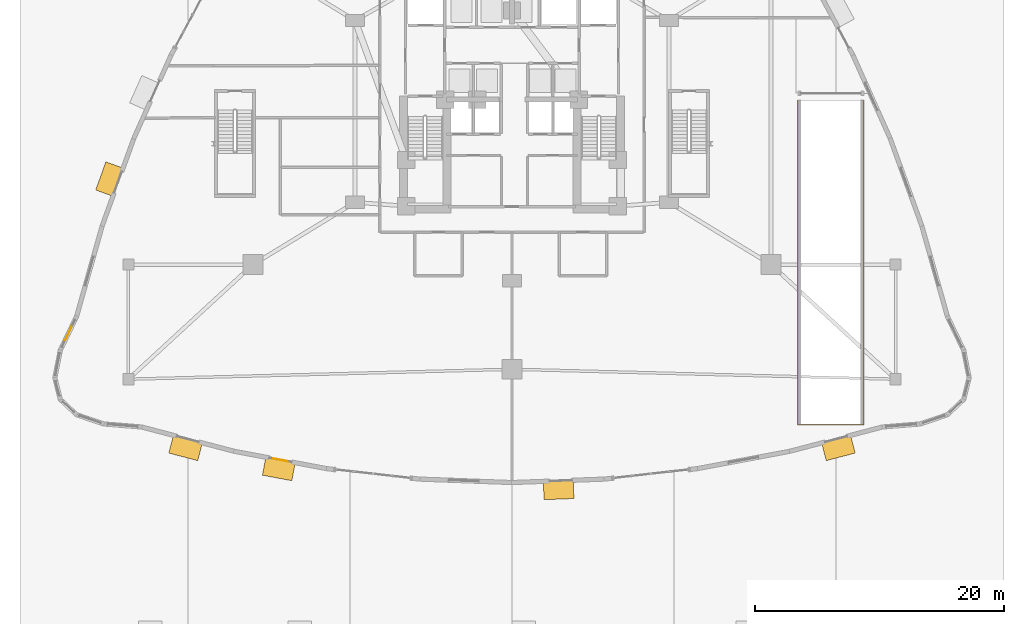
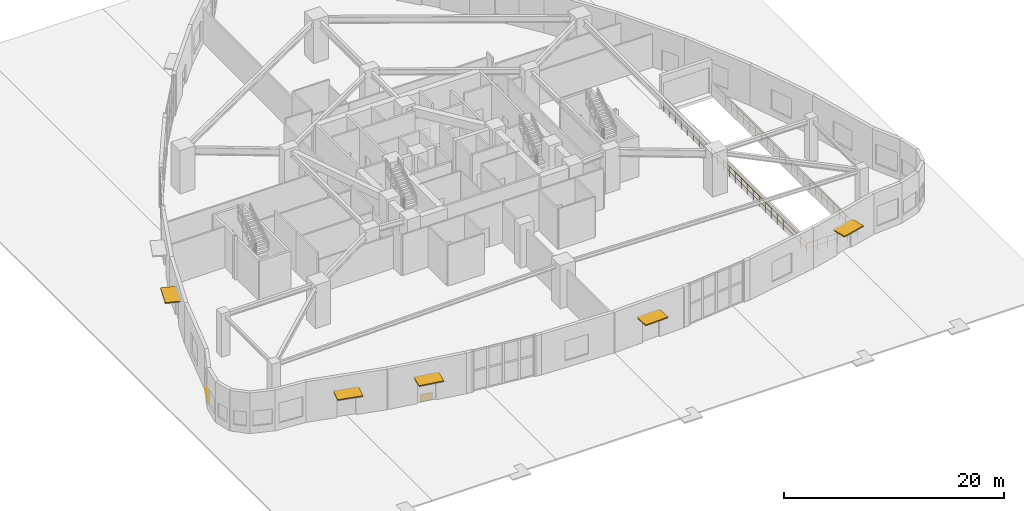
# One storey, part 28 of 32: 5 shading devices, 2 coverings, 1 railing.
"""IFC4 building model written with IfcOpenShell, lengths in metres."""

from ifc_helpers import new_model, si_unit, direction, frame, origin, origin_2d, place, context, subcontext, project, spatial, rectangle, circle, extrude, material, layer, layer_set, type_object, element, save


model = new_model("IFC4")

# Units and contexts
model_context = context("Model", 3, precision=1e-05, world=origin(), true_north=direction((0.0, 1.0)))
body_context = subcontext(model_context, "Body", "Model", "MODEL_VIEW")
ifc_project = project(units=[si_unit("LENGTHUNIT", "METRE"), si_unit("AREAUNIT", "SQUARE_METRE"), si_unit("VOLUMEUNIT", "CUBIC_METRE"), si_unit("PLANEANGLEUNIT", "RADIAN"), si_unit("MASSUNIT", "GRAM", prefix="KILO")], contexts=[model_context])

# Site, building, storey
site_placement = place(None, origin())
site = spatial("IfcSite", under=ifc_project, at=site_placement, CompositionType="ELEMENT")
building_placement = place(site_placement, origin())
building = spatial("IfcBuilding", under=site, at=building_placement, Name="Miruveldt Soraemaru", CompositionType="ELEMENT")
storey_placement = place(building_placement, origin())
storey = spatial("IfcBuildingStorey", under=building, at=storey_placement, Name="L01", CompositionType="ELEMENT", Elevation=0.0)

# Coverings
ifc_material_1 = material(Name="Precast concrete C45/55 (45 MPa)", Category="concrete")
ifc_layer_1 = layer(ifc_material_1, 0.0400390625, Name="Precast concrete C45/55 (45 MPa)", Category="concrete")
ifc_layer_set_1 = layer_set([ifc_layer_1], Name="Precast concrete C45/55 (45 MPa)")
covering_type = type_object("IfcCoveringType", Name="COV-CLAD-GRAN", PredefinedType="CLADDING", material=ifc_layer_set_1)
for number, where, z_axis, x_axis, name in (
    (1, (8.38720703125, 25.2763671875, 0.0), (0.0, 0.0, 1.0), (-0.43422516234, -0.900804367436, 0.0), "L01 Reconstituted Granite Base Cladding 15"),
    (2, (25.4150390625, 15.115478515625, 0.0), (0.0, 0.0, 1.0), (0.982871078132, -0.184294448562, 0.0), "L01 Reconstituted Granite Base Cladding 22"),
):
    element("IfcCovering", number, at=place(storey_placement, frame(where, z_axis=z_axis, x_axis=x_axis)), inside=storey, type_object=covering_type, Name=name, PredefinedType="CLADDING", context=body_context, shape_type="SweptSolid", body=[
        extrude(rectangle(XDim=1.199951171875, YDim=0.0400390625, at=origin_2d()), origin(), (0.0, 0.0, 1.0), 0.800048828125),
    ])

# Railing
ifc_material_2 = material(Name="Anodised aluminium EN AW-6063 T6", Category="aluminium")
railing_type = type_object("IfcRailingType", Name="RAIL-GUARD-1200", PredefinedType="GUARDRAIL", material=ifc_material_2)
railing_placement = place(storey_placement, frame((66.949951171875, 44.0, 0.0)))
element("IfcRailing", 3, at=railing_placement, inside=storey, type_object=railing_type, Name="L01 Car Park Ramp Void Perimeter Guardrail", PredefinedType="GUARDRAIL", context=body_context, shape_type="SweptSolid", body=[
    extrude(circle(Radius=0.02392578125, at=origin_2d()), frame((0.0, 0.0, 1.17578125), z_axis=(0.0, -1.0, 0.0), x_axis=(1.0, 0.0, 0.0)), (0.0, 0.0, 1.0), 26.050048828125),
    extrude(circle(Radius=0.01611328125, at=origin_2d()), frame((0.0, 0.0, 0.60009765625), z_axis=(0.0, -1.0, 0.0), x_axis=(1.0, 0.0, 0.0)), (0.0, 0.0, 1.0), 26.050048828125),
    extrude(circle(Radius=0.02392578125, at=origin_2d()), frame((0.0, -26.050048828125, 1.17578125), z_axis=(1.0, 0.0, 0.0), x_axis=(0.0, 1.0, 0.0)), (0.0, 0.0, 1.0), 5.300048828125),
    extrude(circle(Radius=0.01611328125, at=origin_2d()), frame((0.0, -26.050048828125, 0.60009765625), z_axis=(1.0, 0.0, 0.0), x_axis=(0.0, 1.0, 0.0)), (0.0, 0.0, 1.0), 5.300048828125),
    extrude(circle(Radius=0.02392578125, at=origin_2d()), frame((5.300048828125, -26.050048828125, 1.17578125), z_axis=(0.0, 1.0, 0.0), x_axis=(-1.0, 0.0, 0.0)), (0.0, 0.0, 1.0), 26.050048828125),
    extrude(circle(Radius=0.01611328125, at=origin_2d()), frame((5.300048828125, -26.050048828125, 0.60009765625), z_axis=(0.0, 1.0, 0.0), x_axis=(-1.0, 0.0, 0.0)), (0.0, 0.0, 1.0), 26.050048828125),
    extrude(circle(Radius=0.02099609375, at=origin_2d()), origin(), (0.0, 0.0, 1.0), 1.15185546875),
    extrude(circle(Radius=0.02099609375, at=origin_2d()), frame((0.0, -1.08544921875, 0.0)), (0.0, 0.0, 1.0), 1.15185546875),
    extrude(circle(Radius=0.02099609375, at=origin_2d()), frame((0.0, -2.1708984375, 0.0)), (0.0, 0.0, 1.0), 1.15185546875),
    extrude(circle(Radius=0.02099609375, at=origin_2d()), frame((0.0, -3.25634765625, 0.0)), (0.0, 0.0, 1.0), 1.15185546875),
    extrude(circle(Radius=0.02099609375, at=origin_2d()), frame((0.0, -4.341796875, 0.0)), (0.0, 0.0, 1.0), 1.15185546875),
    extrude(circle(Radius=0.02099609375, at=origin_2d()), frame((0.0, -5.427001953125, 0.0)), (0.0, 0.0, 1.0), 1.15185546875),
    extrude(circle(Radius=0.02099609375, at=origin_2d()), frame((0.0, -6.512451171875, 0.0)), (0.0, 0.0, 1.0), 1.15185546875),
    extrude(circle(Radius=0.02099609375, at=origin_2d()), frame((0.0, -7.597900390625, 0.0)), (0.0, 0.0, 1.0), 1.15185546875),
    extrude(circle(Radius=0.02099609375, at=origin_2d()), frame((0.0, -8.683349609375, 0.0)), (0.0, 0.0, 1.0), 1.15185546875),
    extrude(circle(Radius=0.02099609375, at=origin_2d()), frame((0.0, -9.768798828125, 0.0)), (0.0, 0.0, 1.0), 1.15185546875),
    extrude(circle(Radius=0.02099609375, at=origin_2d()), frame((0.0, -10.854248046875, 0.0)), (0.0, 0.0, 1.0), 1.15185546875),
    extrude(circle(Radius=0.02099609375, at=origin_2d()), frame((0.0, -11.939697265625, 0.0)), (0.0, 0.0, 1.0), 1.15185546875),
    extrude(circle(Radius=0.02099609375, at=origin_2d()), frame((0.0, -13.02490234375, 0.0)), (0.0, 0.0, 1.0), 1.15185546875),
    extrude(circle(Radius=0.02099609375, at=origin_2d()), frame((0.0, -14.1103515625, 0.0)), (0.0, 0.0, 1.0), 1.15185546875),
    extrude(circle(Radius=0.02099609375, at=origin_2d()), frame((0.0, -15.19580078125, 0.0)), (0.0, 0.0, 1.0), 1.15185546875),
    extrude(circle(Radius=0.02099609375, at=origin_2d()), frame((0.0, -16.28125, 0.0)), (0.0, 0.0, 1.0), 1.15185546875),
    extrude(circle(Radius=0.02099609375, at=origin_2d()), frame((0.0, -17.36669921875, 0.0)), (0.0, 0.0, 1.0), 1.15185546875),
    extrude(circle(Radius=0.02099609375, at=origin_2d()), frame((0.0, -18.4521484375, 0.0)), (0.0, 0.0, 1.0), 1.15185546875),
    extrude(circle(Radius=0.02099609375, at=origin_2d()), frame((0.0, -19.53759765625, 0.0)), (0.0, 0.0, 1.0), 1.15185546875),
    extrude(circle(Radius=0.02099609375, at=origin_2d()), frame((0.0, -20.623046875, 0.0)), (0.0, 0.0, 1.0), 1.15185546875),
    extrude(circle(Radius=0.02099609375, at=origin_2d()), frame((0.0, -21.70849609375, 0.0)), (0.0, 0.0, 1.0), 1.15185546875),
    extrude(circle(Radius=0.02099609375, at=origin_2d()), frame((0.0, -22.793701171875, 0.0)), (0.0, 0.0, 1.0), 1.15185546875),
    extrude(circle(Radius=0.02099609375, at=origin_2d()), frame((0.0, -23.879150390625, 0.0)), (0.0, 0.0, 1.0), 1.15185546875),
    extrude(circle(Radius=0.02099609375, at=origin_2d()), frame((0.0, -24.964599609375, 0.0)), (0.0, 0.0, 1.0), 1.15185546875),
    extrude(circle(Radius=0.02099609375, at=origin_2d()), frame((0.0, -26.050048828125, 0.0)), (0.0, 0.0, 1.0), 1.15185546875),
    extrude(circle(Radius=0.02099609375, at=origin_2d()), frame((1.06005859375, -26.050048828125, 0.0)), (0.0, 0.0, 1.0), 1.15185546875),
    extrude(circle(Radius=0.02099609375, at=origin_2d()), frame((2.1201171875, -26.050048828125, 0.0)), (0.0, 0.0, 1.0), 1.15185546875),
    extrude(circle(Radius=0.02099609375, at=origin_2d()), frame((3.179931640625, -26.050048828125, 0.0)), (0.0, 0.0, 1.0), 1.15185546875),
    extrude(circle(Radius=0.02099609375, at=origin_2d()), frame((4.239990234375, -26.050048828125, 0.0)), (0.0, 0.0, 1.0), 1.15185546875),
    extrude(circle(Radius=0.02099609375, at=origin_2d()), frame((5.300048828125, -26.050048828125, 0.0)), (0.0, 0.0, 1.0), 1.15185546875),
    extrude(circle(Radius=0.02099609375, at=origin_2d()), frame((5.300048828125, -24.964599609375, 0.0)), (0.0, 0.0, 1.0), 1.15185546875),
    extrude(circle(Radius=0.02099609375, at=origin_2d()), frame((5.300048828125, -23.879150390625, 0.0)), (0.0, 0.0, 1.0), 1.15185546875),
    extrude(circle(Radius=0.02099609375, at=origin_2d()), frame((5.300048828125, -22.793701171875, 0.0)), (0.0, 0.0, 1.0), 1.15185546875),
    extrude(circle(Radius=0.02099609375, at=origin_2d()), frame((5.300048828125, -21.70849609375, 0.0)), (0.0, 0.0, 1.0), 1.15185546875),
    extrude(circle(Radius=0.02099609375, at=origin_2d()), frame((5.300048828125, -20.623046875, 0.0)), (0.0, 0.0, 1.0), 1.15185546875),
    extrude(circle(Radius=0.02099609375, at=origin_2d()), frame((5.300048828125, -19.53759765625, 0.0)), (0.0, 0.0, 1.0), 1.15185546875),
    extrude(circle(Radius=0.02099609375, at=origin_2d()), frame((5.300048828125, -18.4521484375, 0.0)), (0.0, 0.0, 1.0), 1.15185546875),
    extrude(circle(Radius=0.02099609375, at=origin_2d()), frame((5.300048828125, -17.36669921875, 0.0)), (0.0, 0.0, 1.0), 1.15185546875),
    extrude(circle(Radius=0.02099609375, at=origin_2d()), frame((5.300048828125, -16.28125, 0.0)), (0.0, 0.0, 1.0), 1.15185546875),
    extrude(circle(Radius=0.02099609375, at=origin_2d()), frame((5.300048828125, -15.19580078125, 0.0)), (0.0, 0.0, 1.0), 1.15185546875),
    extrude(circle(Radius=0.02099609375, at=origin_2d()), frame((5.300048828125, -14.1103515625, 0.0)), (0.0, 0.0, 1.0), 1.15185546875),
    extrude(circle(Radius=0.02099609375, at=origin_2d()), frame((5.300048828125, -13.02490234375, 0.0)), (0.0, 0.0, 1.0), 1.15185546875),
    extrude(circle(Radius=0.02099609375, at=origin_2d()), frame((5.300048828125, -11.939697265625, 0.0)), (0.0, 0.0, 1.0), 1.15185546875),
    extrude(circle(Radius=0.02099609375, at=origin_2d()), frame((5.300048828125, -10.854248046875, 0.0)), (0.0, 0.0, 1.0), 1.15185546875),
    extrude(circle(Radius=0.02099609375, at=origin_2d()), frame((5.300048828125, -9.768798828125, 0.0)), (0.0, 0.0, 1.0), 1.15185546875),
    extrude(circle(Radius=0.02099609375, at=origin_2d()), frame((5.300048828125, -8.683349609375, 0.0)), (0.0, 0.0, 1.0), 1.15185546875),
    extrude(circle(Radius=0.02099609375, at=origin_2d()), frame((5.300048828125, -7.597900390625, 0.0)), (0.0, 0.0, 1.0), 1.15185546875),
    extrude(circle(Radius=0.02099609375, at=origin_2d()), frame((5.300048828125, -6.512451171875, 0.0)), (0.0, 0.0, 1.0), 1.15185546875),
    extrude(circle(Radius=0.02099609375, at=origin_2d()), frame((5.300048828125, -5.427001953125, 0.0)), (0.0, 0.0, 1.0), 1.15185546875),
    extrude(circle(Radius=0.02099609375, at=origin_2d()), frame((5.300048828125, -4.341796875, 0.0)), (0.0, 0.0, 1.0), 1.15185546875),
    extrude(circle(Radius=0.02099609375, at=origin_2d()), frame((5.300048828125, -3.25634765625, 0.0)), (0.0, 0.0, 1.0), 1.15185546875),
    extrude(circle(Radius=0.02099609375, at=origin_2d()), frame((5.300048828125, -2.1708984375, 0.0)), (0.0, 0.0, 1.0), 1.15185546875),
    extrude(circle(Radius=0.02099609375, at=origin_2d()), frame((5.300048828125, -1.08544921875, 0.0)), (0.0, 0.0, 1.0), 1.15185546875),
    extrude(circle(Radius=0.02099609375, at=origin_2d()), frame((5.300048828125, 0.0, 0.0)), (0.0, 0.0, 1.0), 1.15185546875),
])

# Shading devices
ifc_layer_2 = layer(ifc_material_2, 0.1201171875, Name="Anodised aluminium EN AW-6063 T6", Category="aluminium")
ifc_layer_set_2 = layer_set([ifc_layer_2], Name="Anodised aluminium EN AW-6063 T6")
shading_device_type = type_object("IfcShadingDeviceType", Name="SHD-CANOPY-AWN", PredefinedType="AWNING", material=ifc_layer_set_2)
for number, where, z_axis, x_axis, name in (
    (4, (11.69091796875, 37.6640625, 2.7900390625), (0.0, 0.0, 1.0), (-0.340116958965, -0.940383142248, 0.0), "L01 Entrance Canopy Awning 13"),
    (5, (17.79833984375, 16.091796875, 2.7900390625), (0.0, 0.0, 1.0), (0.967232312054, -0.253892998167, 0.0), "L01 Entrance Canopy Awning 21"),
    (6, (25.282470703125, 14.407958984375, 2.7900390625), (0.0, 0.0, 1.0), (0.982871078132, -0.184294448562, 0.0), "L01 Entrance Canopy Awning 22"),
    (7, (47.743896484375, 12.723388671875, 2.7900390625), (0.0, 0.0, 1.0), (0.999297344537, 0.037480891147, 0.0), "L01 Entrance Canopy Awning 25"),
    (8, (70.20166015625, 16.091796875, 2.7900390625), (0.0, 0.0, 1.0), (0.967232312054, 0.253892998167, 0.0), "L01 Entrance Canopy Awning 28"),
):
    element("IfcShadingDevice", number, at=place(storey_placement, frame(where, z_axis=z_axis, x_axis=x_axis)), inside=storey, type_object=shading_device_type, Name=name, PredefinedType="AWNING", context=body_context, shape_type="SweptSolid", body=[
        extrude(rectangle(XDim=2.39990234375, YDim=1.5, at=origin_2d()), origin(), (0.0, 0.0, 1.0), 0.1201171875),
    ])

save(model, "model.ifc")
